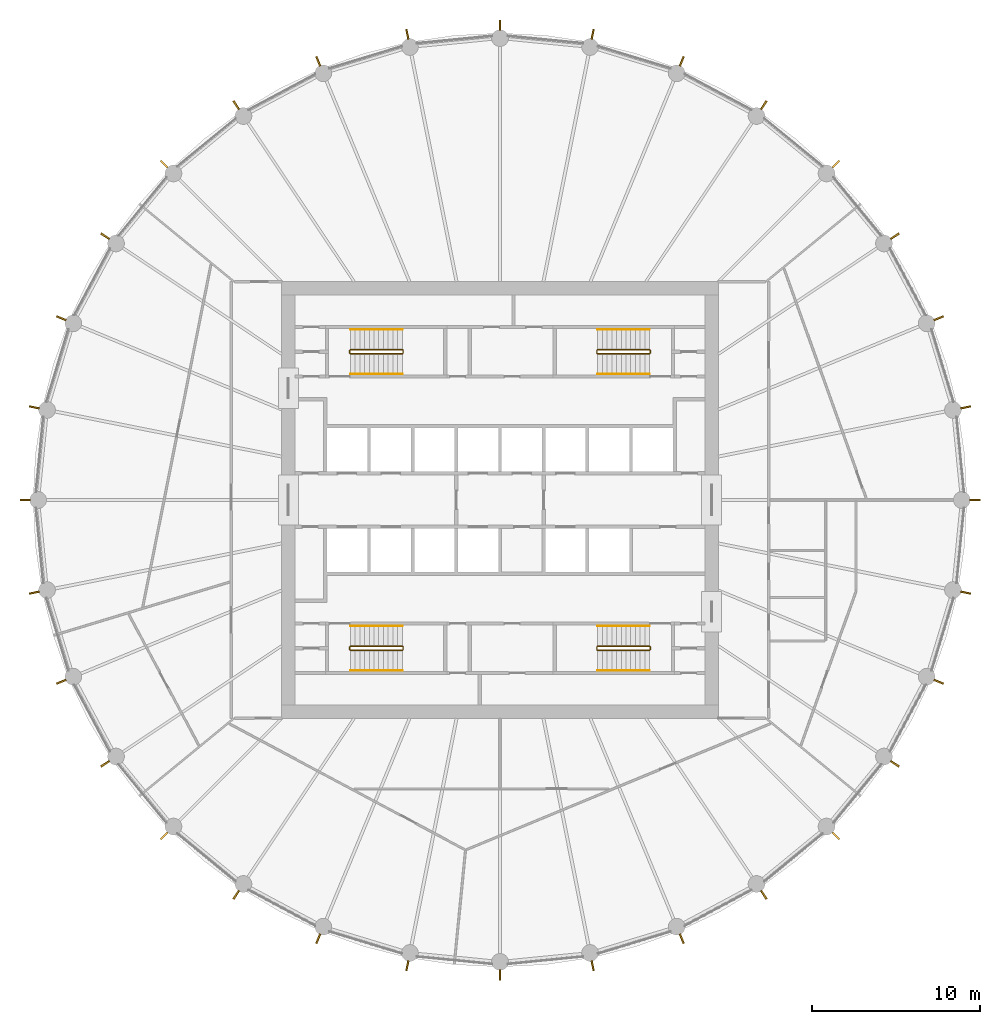
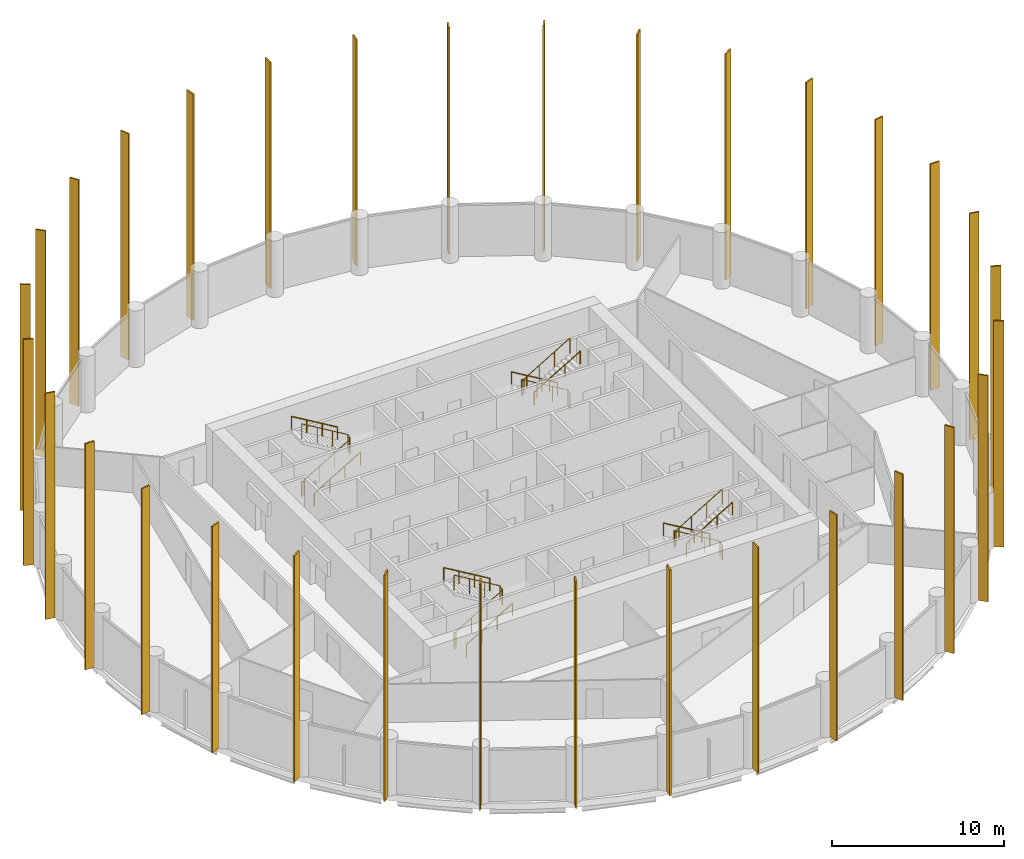
# One storey, part 8 of 8: 32 shading devices, 12 railings.
"""IFC4 building model written with IfcOpenShell, lengths in metres."""

import ifcopenshell
import ifcopenshell.guid

model = None  # the IFC model being written
_history = None  # IfcOwnerHistory: only IFC2X3 demands one
_inside = {}  # id of a spatial element -> (the spatial element, [elements in it])
_under = {}  # id of a project, library or spatial element -> (it, [spatial elements below it])
_declared = {}  # id of a project -> (the project, [libraries it declares])
_typed = {}  # id of a type object -> (the type object, [elements of that type])
_made_of = {}  # id of a material, layer set ... -> (it, [elements and type objects made of it])


def new_model(schema):
    """Start an empty IFC model of exactly this schema.

    Asked for "IFC4X3", IfcOpenShell would pick the latest addendum, in which some entities
    have other attributes; the version numbers below select the first issue.
    IFC2X3 requires an IfcOwnerHistory on every rooted entity: one is made here for all.
    """
    global model, _history
    if schema == "IFC4X3":
        model = ifcopenshell.file(schema_version=(4, 3, 0, 0))
    else:
        model = ifcopenshell.file(schema=schema)
    _inside.clear()
    _under.clear()
    _declared.clear()
    _typed.clear()
    _made_of.clear()
    _history = None
    if model.schema == "IFC2X3":
        org = make("IfcOrganization", Name="unknown")
        user = make(
            "IfcPersonAndOrganization",
            ThePerson=make("IfcPerson", FamilyName="unknown"),
            TheOrganization=org,
        )
        app = make(
            "IfcApplication",
            ApplicationDeveloper=org,
            Version="unknown",
            ApplicationFullName="unknown",
            ApplicationIdentifier="unknown",
        )
        _history = make(
            "IfcOwnerHistory",
            OwningUser=user,
            OwningApplication=app,
            ChangeAction="ADDED",
            CreationDate=0,
        )
    return model


def make(cls, **values):
    """One entity of the class cls with the attributes given. An attribute that is None is left unset."""
    return model.create_entity(
        cls, **{name: value for name, value in values.items() if value is not None}
    )


def rooted(cls, **values):
    """An entity with a GlobalId (a new one), such as an element, a storey or a relation."""
    return make(cls, GlobalId=ifcopenshell.guid.new(), OwnerHistory=_history, **values)


def si_unit(unit_type, name, prefix=None):
    """IfcSIUnit, for example si_unit("LENGTHUNIT", "METRE", prefix="MILLI")."""
    return make("IfcSIUnit", UnitType=unit_type, Prefix=prefix, Name=name)


def assignment(units):
    """IfcUnitAssignment: the units of a project."""
    return None if units is None else make("IfcUnitAssignment", Units=units)


def point(xyz):
    """IfcCartesianPoint."""
    return None if xyz is None else make("IfcCartesianPoint", Coordinates=xyz)


def direction(xyz):
    """IfcDirection."""
    return None if xyz is None else make("IfcDirection", DirectionRatios=xyz)


def frame(location, z_axis=None, x_axis=None):
    """IfcAxis2Placement3D, a coordinate frame: its origin and axes. An axis left out is left unset."""
    return make(
        "IfcAxis2Placement3D",
        Location=point(location),
        Axis=direction(z_axis),
        RefDirection=direction(x_axis),
    )


def frame_2d(location, x_axis=None):
    """IfcAxis2Placement2D, a coordinate frame in the plane: its origin and x axis."""
    return make(
        "IfcAxis2Placement2D", Location=point(location), RefDirection=direction(x_axis)
    )


def origin():
    """The frame at (0, 0, 0) with its axes left unset."""
    return frame((0.0, 0.0, 0.0))


def origin_2d():
    """The frame at (0, 0) in the plane with its x axis left unset."""
    return frame_2d((0.0, 0.0))


def place(relative_to, where):
    """IfcLocalPlacement: puts the frame where relative to a parent placement (None: the world)."""
    return make(
        "IfcLocalPlacement", PlacementRelTo=relative_to, RelativePlacement=where
    )


def context(
    kind, dimensions, precision=None, world=None, true_north=None, identifier=None
):
    """IfcGeometricRepresentationContext, for example the 3D "Model" context."""
    return make(
        "IfcGeometricRepresentationContext",
        ContextIdentifier=identifier,
        ContextType=kind,
        CoordinateSpaceDimension=dimensions,
        Precision=precision,
        WorldCoordinateSystem=world,
        TrueNorth=true_north,
    )


def subcontext(parent, identifier, kind, view, scale=None):
    """IfcGeometricRepresentationSubContext, for example "Body" below "Model"."""
    return make(
        "IfcGeometricRepresentationSubContext",
        ContextIdentifier=identifier,
        ContextType=kind,
        ParentContext=parent,
        TargetScale=scale,
        TargetView=view,
    )


def project(units=None, contexts=None):
    """IfcProject with its units and contexts."""
    return rooted(
        "IfcProject",
        Name="project",
        RepresentationContexts=contexts,
        UnitsInContext=assignment(units),
    )


def spatial(cls, under=None, at=None, **own):
    """A site, building, storey or space (cls), placed at a placement, below another one or the project."""
    s = rooted(cls, ObjectPlacement=at, **own)
    if under is not None:
        _under.setdefault(under.id(), (under, []))[1].append(s)
    return s


def profile(cls, at=None, kind="AREA", **sizes):
    """A parametric profile (cls). Its sizes go by their IFC names, for example OverallWidth=200.0."""
    return make(cls, ProfileType=kind, Position=at, **sizes)


def rectangle(**sizes):
    """IfcRectangleProfileDef."""
    return profile("IfcRectangleProfileDef", **sizes)


def circle(**sizes):
    """IfcCircleProfileDef."""
    return profile("IfcCircleProfileDef", **sizes)


def extrude(swept, where, along, depth):
    """IfcExtrudedAreaSolid: the profile swept, set in the frame where, extruded along a direction by depth."""
    return make(
        "IfcExtrudedAreaSolid",
        SweptArea=swept,
        Position=where,
        ExtrudedDirection=direction(along),
        Depth=depth,
    )


def shape(context_of_items, identifier, shape_type, items):
    """IfcShapeRepresentation: the items that make up one representation, for example the "Body"."""
    return make(
        "IfcShapeRepresentation",
        ContextOfItems=context_of_items,
        RepresentationIdentifier=identifier,
        RepresentationType=shape_type,
        Items=items,
    )


def material(Name=None, Category=None):
    """IfcMaterial."""
    return make("IfcMaterial", Name=Name, Category=Category)


def material_profile(
    of_material, cross_section, Name=None, Category=None, Priority=None
):
    """IfcMaterialProfile: a cross section and its material."""
    return make(
        "IfcMaterialProfile",
        Name=Name,
        Material=of_material,
        Profile=cross_section,
        Priority=Priority,
        Category=Category,
    )


def profile_set(profiles, Name=None, composite=None):
    """IfcMaterialProfileSet."""
    return make(
        "IfcMaterialProfileSet",
        Name=Name,
        MaterialProfiles=profiles,
        CompositeProfile=composite,
    )


def made_of(thing, what):
    """Note that an element or type object is made of a material, layer set ...; save() writes the relation."""
    if what is not None:
        _made_of.setdefault(what.id(), (what, []))[1].append(thing)
    return thing


def type_object(cls, material=None, **own):
    """A type object (cls), such as IfcWallType, which elements share."""
    return made_of(rooted(cls, **own), material)


def element(
    cls,
    number,
    at=None,
    inside=None,
    cuts=None,
    type_object=None,
    material=None,
    context=None,
    identifier="Body",
    shape_type=None,
    held_by="IfcProductDefinitionShape",
    body=None,
    shapes=None,
    **own,
):
    """One element of the class cls, such as IfcWall. Its Tag is "e" and its number.

    at: its placement. inside: the storey or other place that contains it. cuts: it is an
    opening in that element (IfcRelVoidsElement). A single representation is given by context,
    identifier, shape_type and body (its items); several are given by shapes. held_by: the class
    of the entity that holds the representations. save() writes the other relations.
    """
    e = rooted(cls, Tag="e%d" % number, ObjectPlacement=at, **own)
    if body is not None:
        shapes = [shape(context, identifier, shape_type, body)]
    if shapes is not None:
        e.Representation = make(held_by, Representations=shapes)
    if inside is not None:
        _inside.setdefault(inside.id(), (inside, []))[1].append(e)
    if cuts is not None:
        rooted(
            "IfcRelVoidsElement", RelatingBuildingElement=cuts, RelatedOpeningElement=e
        )
    if type_object is not None:
        _typed.setdefault(type_object.id(), (type_object, []))[1].append(e)
    return made_of(e, material)


def aggregate(whole, parts):
    """IfcRelAggregates: a whole, such as a stair, and the parts it consists of."""
    return rooted("IfcRelAggregates", RelatingObject=whole, RelatedObjects=parts)


def save(model, path):
    """Write the relations noted so far, then the file.

    IfcRelAggregates (storeys below a building ...), IfcRelContainedInSpatialStructure (elements
    in a storey), IfcRelDefinesByType, IfcRelAssociatesMaterial and IfcRelDeclares: one each for
    every whole, place, type object, material and project.
    """
    for whole, parts in _under.values():
        aggregate(whole, parts)
    for where, things in _inside.values():
        rooted(
            "IfcRelContainedInSpatialStructure",
            RelatedElements=things,
            RelatingStructure=where,
        )
    for kind, things in _typed.values():
        rooted("IfcRelDefinesByType", RelatedObjects=things, RelatingType=kind)
    for what, things in _made_of.values():
        rooted("IfcRelAssociatesMaterial", RelatedObjects=things, RelatingMaterial=what)
    for by, libraries in _declared.values():
        rooted("IfcRelDeclares", RelatingContext=by, RelatedDefinitions=libraries)
    model.write(path)


model = new_model("IFC4")

# Units and contexts
model_context = context("Model", 3, precision=1e-05, world=origin(), true_north=direction((0.0, 1.0)))
body_context = subcontext(model_context, "Body", "Model", "MODEL_VIEW")
ifc_project = project(units=[si_unit("LENGTHUNIT", "METRE"), si_unit("AREAUNIT", "SQUARE_METRE"), si_unit("VOLUMEUNIT", "CUBIC_METRE"), si_unit("PLANEANGLEUNIT", "RADIAN"), si_unit("MASSUNIT", "GRAM", prefix="KILO")], contexts=[model_context])

# Site, building, storey
site_placement = place(None, origin())
site = spatial("IfcSite", under=ifc_project, at=site_placement, CompositionType="ELEMENT")
building_placement = place(site_placement, origin())
building = spatial("IfcBuilding", under=site, at=building_placement, Name="Corvane Civic Tower", CompositionType="ELEMENT")
storey_placement = place(building_placement, frame((0.0, 0.0, 201.5)))
storey = spatial("IfcBuildingStorey", under=building, at=storey_placement, Name="L47", CompositionType="ELEMENT", Elevation=201.5)

# Railings
ifc_material_1 = material(Name="Steel ASTM A572 Gr 50", Category="steel")
railing_type_1 = type_object("IfcRailingType", Name="ST-GUARD-1100", PredefinedType="GUARDRAIL", material=ifc_material_1)
railing_1_placement = place(storey_placement, frame((8.949951171875, 8.75, 0.0)))
element("IfcRailing", 1, at=railing_1_placement, inside=storey, type_object=railing_type_1, Name="L47 ST1 stair guard 1", PredefinedType="GUARDRAIL", context=body_context, shape_type="SweptSolid", body=[
    extrude(circle(Radius=0.02392578125, at=origin_2d()), frame((0.0, 0.0, 1.076171875), z_axis=(0.0, 1.0, 0.0), x_axis=(-1.0, 0.0, 0.0)), (0.0, 0.0, 1.0), 0.14990234375),
    extrude(circle(Radius=0.02392578125, at=origin_2d()), frame((0.0, 0.14990234375, 1.076171875), z_axis=(-0.27628659633, 0.27628659633, 0.920506074601), x_axis=(-0.707106781187, -0.707106781187, 0.0)), (0.0, 0.0, 1.0), 0.18115234375),
    extrude(circle(Radius=0.02392578125, at=origin_2d()), frame((-0.050048828125, 0.199951171875, 1.24267578125), z_axis=(-0.859290745958, 0.0, 0.51148745235), x_axis=(0.0, -1.0, 0.0)), (0.0, 0.0, 1.0), 3.584228515625),
    extrude(circle(Radius=0.02392578125, at=origin_2d()), frame((-3.1298828125, 0.199951171875, 3.076171875), z_axis=(-0.707106781187, -0.707106781187, 0.0), x_axis=(0.707106781187, -0.707106781187, 0.0)), (0.0, 0.0, 1.0), 0.07080078125),
    extrude(circle(Radius=0.02392578125, at=origin_2d()), frame((-3.179931640625, 0.14990234375, 3.076171875), z_axis=(0.0, -1.0, 0.0), x_axis=(1.0, 0.0, 0.0)), (0.0, 0.0, 1.0), 0.14990234375),
    extrude(circle(Radius=0.02392578125, at=origin_2d()), frame((-3.179931640625, 0.0, 3.076171875), z_axis=(0.27628659633, -0.27628659633, 0.920506074601), x_axis=(0.707106781187, 0.707106781187, 0.0)), (0.0, 0.0, 1.0), 0.18115234375),
    extrude(circle(Radius=0.02392578125, at=origin_2d()), frame((-3.1298828125, -0.050048828125, 3.24267578125), z_axis=(0.859290745958, 0.0, 0.51148745235), x_axis=(0.0, 1.0, 0.0)), (0.0, 0.0, 1.0), 3.584228515625),
    extrude(circle(Radius=0.02099609375, at=origin_2d()), origin(), (0.0, 0.0, 1.0), 1.052001953125),
    extrude(circle(Radius=0.02099609375, at=origin_2d()), frame((0.0, 0.14990234375, 0.0)), (0.0, 0.0, 1.0), 1.052001953125),
    extrude(circle(Radius=0.02099609375, at=origin_2d()), frame((-0.050048828125, 0.199951171875, 0.166748046875)), (0.0, 0.0, 1.0), 1.052001953125),
    extrude(circle(Radius=0.02099609375, at=origin_2d()), frame((-1.07666015625, 0.199951171875, 0.77783203125)), (0.0, 0.0, 1.0), 1.052001953125),
    extrude(circle(Radius=0.02099609375, at=origin_2d()), frame((-2.103271484375, 0.199951171875, 1.388916015625)), (0.0, 0.0, 1.0), 1.052001953125),
    extrude(circle(Radius=0.02099609375, at=origin_2d()), frame((-3.1298828125, 0.199951171875, 2.0)), (0.0, 0.0, 1.0), 1.052001953125),
    extrude(circle(Radius=0.02099609375, at=origin_2d()), frame((-3.179931640625, 0.14990234375, 2.0)), (0.0, 0.0, 1.0), 1.052001953125),
    extrude(circle(Radius=0.02099609375, at=origin_2d()), frame((-3.179931640625, 0.0, 2.0)), (0.0, 0.0, 1.0), 1.052001953125),
    extrude(circle(Radius=0.02099609375, at=origin_2d()), frame((-3.1298828125, -0.050048828125, 2.166748046875)), (0.0, 0.0, 1.0), 1.052001953125),
    extrude(circle(Radius=0.02099609375, at=origin_2d()), frame((-2.103271484375, -0.050048828125, 2.77783203125)), (0.0, 0.0, 1.0), 1.052001953125),
    extrude(circle(Radius=0.02099609375, at=origin_2d()), frame((-1.07666015625, -0.050048828125, 3.388916015625)), (0.0, 0.0, 1.0), 1.052001953125),
    extrude(circle(Radius=0.02099609375, at=origin_2d()), frame((-0.050048828125, -0.050048828125, 4.0)), (0.0, 0.0, 1.0), 1.052001953125),
])
railing_2_placement = place(storey_placement, frame((8.949951171875, -8.89990234375, 0.0)))
element("IfcRailing", 2, at=railing_2_placement, inside=storey, type_object=railing_type_1, Name="L47 ST2 stair guard 1", PredefinedType="GUARDRAIL", context=body_context, shape_type="SweptSolid", body=[
    extrude(circle(Radius=0.02392578125, at=origin_2d()), frame((0.0, 0.0, 1.076171875), z_axis=(0.0, 1.0, 0.0), x_axis=(-1.0, 0.0, 0.0)), (0.0, 0.0, 1.0), 0.14990234375),
    extrude(circle(Radius=0.02392578125, at=origin_2d()), frame((0.0, 0.14990234375, 1.076171875), z_axis=(-0.27628659633, 0.27628659633, 0.920506074601), x_axis=(-0.707106781187, -0.707106781187, 0.0)), (0.0, 0.0, 1.0), 0.18115234375),
    extrude(circle(Radius=0.02392578125, at=origin_2d()), frame((-0.050048828125, 0.199951171875, 1.24267578125), z_axis=(-0.859290745958, 0.0, 0.51148745235), x_axis=(0.0, -1.0, 0.0)), (0.0, 0.0, 1.0), 3.584228515625),
    extrude(circle(Radius=0.02392578125, at=origin_2d()), frame((-3.1298828125, 0.199951171875, 3.076171875), z_axis=(-0.707106781187, -0.707106781187, 0.0), x_axis=(0.707106781187, -0.707106781187, 0.0)), (0.0, 0.0, 1.0), 0.07080078125),
    extrude(circle(Radius=0.02392578125, at=origin_2d()), frame((-3.179931640625, 0.14990234375, 3.076171875), z_axis=(0.0, -1.0, 0.0), x_axis=(1.0, 0.0, 0.0)), (0.0, 0.0, 1.0), 0.14990234375),
    extrude(circle(Radius=0.02392578125, at=origin_2d()), frame((-3.179931640625, 0.0, 3.076171875), z_axis=(0.27628659633, -0.27628659633, 0.920506074601), x_axis=(0.707106781187, 0.707106781187, 0.0)), (0.0, 0.0, 1.0), 0.18115234375),
    extrude(circle(Radius=0.02392578125, at=origin_2d()), frame((-3.1298828125, -0.050048828125, 3.24267578125), z_axis=(0.859290745958, 0.0, 0.51148745235), x_axis=(0.0, 1.0, 0.0)), (0.0, 0.0, 1.0), 3.584228515625),
    extrude(circle(Radius=0.02099609375, at=origin_2d()), origin(), (0.0, 0.0, 1.0), 1.052001953125),
    extrude(circle(Radius=0.02099609375, at=origin_2d()), frame((0.0, 0.14990234375, 0.0)), (0.0, 0.0, 1.0), 1.052001953125),
    extrude(circle(Radius=0.02099609375, at=origin_2d()), frame((-0.050048828125, 0.199951171875, 0.166748046875)), (0.0, 0.0, 1.0), 1.052001953125),
    extrude(circle(Radius=0.02099609375, at=origin_2d()), frame((-1.07666015625, 0.199951171875, 0.77783203125)), (0.0, 0.0, 1.0), 1.052001953125),
    extrude(circle(Radius=0.02099609375, at=origin_2d()), frame((-2.103271484375, 0.199951171875, 1.388916015625)), (0.0, 0.0, 1.0), 1.052001953125),
    extrude(circle(Radius=0.02099609375, at=origin_2d()), frame((-3.1298828125, 0.199951171875, 2.0)), (0.0, 0.0, 1.0), 1.052001953125),
    extrude(circle(Radius=0.02099609375, at=origin_2d()), frame((-3.179931640625, 0.14990234375, 2.0)), (0.0, 0.0, 1.0), 1.052001953125),
    extrude(circle(Radius=0.02099609375, at=origin_2d()), frame((-3.179931640625, 0.0, 2.0)), (0.0, 0.0, 1.0), 1.052001953125),
    extrude(circle(Radius=0.02099609375, at=origin_2d()), frame((-3.1298828125, -0.050048828125, 2.166748046875)), (0.0, 0.0, 1.0), 1.052001953125),
    extrude(circle(Radius=0.02099609375, at=origin_2d()), frame((-2.103271484375, -0.050048828125, 2.77783203125)), (0.0, 0.0, 1.0), 1.052001953125),
    extrude(circle(Radius=0.02099609375, at=origin_2d()), frame((-1.07666015625, -0.050048828125, 3.388916015625)), (0.0, 0.0, 1.0), 1.052001953125),
    extrude(circle(Radius=0.02099609375, at=origin_2d()), frame((-0.050048828125, -0.050048828125, 4.0)), (0.0, 0.0, 1.0), 1.052001953125),
])
railing_3_placement = place(storey_placement, frame((-8.949951171875, -8.75, 0.0)))
element("IfcRailing", 3, at=railing_3_placement, inside=storey, type_object=railing_type_1, Name="L47 ST3 stair guard 1", PredefinedType="GUARDRAIL", context=body_context, shape_type="SweptSolid", body=[
    extrude(circle(Radius=0.02392578125, at=origin_2d()), frame((0.0, 0.0, 1.076171875), z_axis=(0.0, -1.0, 0.0), x_axis=(1.0, 0.0, 0.0)), (0.0, 0.0, 1.0), 0.14990234375),
    extrude(circle(Radius=0.02392578125, at=origin_2d()), frame((0.0, -0.14990234375, 1.076171875), z_axis=(0.27628659633, -0.27628659633, 0.920506074601), x_axis=(0.707106781187, 0.707106781187, 0.0)), (0.0, 0.0, 1.0), 0.18115234375),
    extrude(circle(Radius=0.02392578125, at=origin_2d()), frame((0.050048828125, -0.199951171875, 1.24267578125), z_axis=(0.859290745958, 0.0, 0.51148745235), x_axis=(0.0, 1.0, 0.0)), (0.0, 0.0, 1.0), 3.584228515625),
    extrude(circle(Radius=0.02392578125, at=origin_2d()), frame((3.1298828125, -0.199951171875, 3.076171875), z_axis=(0.707106781187, 0.707106781187, 0.0), x_axis=(-0.707106781187, 0.707106781187, 0.0)), (0.0, 0.0, 1.0), 0.07080078125),
    extrude(circle(Radius=0.02392578125, at=origin_2d()), frame((3.179931640625, -0.14990234375, 3.076171875), z_axis=(0.0, 1.0, 0.0), x_axis=(-1.0, 0.0, 0.0)), (0.0, 0.0, 1.0), 0.14990234375),
    extrude(circle(Radius=0.02392578125, at=origin_2d()), frame((3.179931640625, 0.0, 3.076171875), z_axis=(-0.27628659633, 0.27628659633, 0.920506074601), x_axis=(-0.707106781187, -0.707106781187, 0.0)), (0.0, 0.0, 1.0), 0.18115234375),
    extrude(circle(Radius=0.02392578125, at=origin_2d()), frame((3.1298828125, 0.050048828125, 3.24267578125), z_axis=(-0.859290745958, 0.0, 0.51148745235), x_axis=(0.0, -1.0, 0.0)), (0.0, 0.0, 1.0), 3.584228515625),
    extrude(circle(Radius=0.02099609375, at=origin_2d()), origin(), (0.0, 0.0, 1.0), 1.052001953125),
    extrude(circle(Radius=0.02099609375, at=origin_2d()), frame((0.0, -0.14990234375, 0.0)), (0.0, 0.0, 1.0), 1.052001953125),
    extrude(circle(Radius=0.02099609375, at=origin_2d()), frame((0.050048828125, -0.199951171875, 0.166748046875)), (0.0, 0.0, 1.0), 1.052001953125),
    extrude(circle(Radius=0.02099609375, at=origin_2d()), frame((1.07666015625, -0.199951171875, 0.77783203125)), (0.0, 0.0, 1.0), 1.052001953125),
    extrude(circle(Radius=0.02099609375, at=origin_2d()), frame((2.103271484375, -0.199951171875, 1.388916015625)), (0.0, 0.0, 1.0), 1.052001953125),
    extrude(circle(Radius=0.02099609375, at=origin_2d()), frame((3.1298828125, -0.199951171875, 2.0)), (0.0, 0.0, 1.0), 1.052001953125),
    extrude(circle(Radius=0.02099609375, at=origin_2d()), frame((3.179931640625, -0.14990234375, 2.0)), (0.0, 0.0, 1.0), 1.052001953125),
    extrude(circle(Radius=0.02099609375, at=origin_2d()), frame((3.179931640625, 0.0, 2.0)), (0.0, 0.0, 1.0), 1.052001953125),
    extrude(circle(Radius=0.02099609375, at=origin_2d()), frame((3.1298828125, 0.050048828125, 2.166748046875)), (0.0, 0.0, 1.0), 1.052001953125),
    extrude(circle(Radius=0.02099609375, at=origin_2d()), frame((2.103271484375, 0.050048828125, 2.77783203125)), (0.0, 0.0, 1.0), 1.052001953125),
    extrude(circle(Radius=0.02099609375, at=origin_2d()), frame((1.07666015625, 0.050048828125, 3.388916015625)), (0.0, 0.0, 1.0), 1.052001953125),
    extrude(circle(Radius=0.02099609375, at=origin_2d()), frame((0.050048828125, 0.050048828125, 4.0)), (0.0, 0.0, 1.0), 1.052001953125),
])
railing_4_placement = place(storey_placement, frame((-8.949951171875, 8.89990234375, 0.0)))
element("IfcRailing", 4, at=railing_4_placement, inside=storey, type_object=railing_type_1, Name="L47 ST4 stair guard 1", PredefinedType="GUARDRAIL", context=body_context, shape_type="SweptSolid", body=[
    extrude(circle(Radius=0.02392578125, at=origin_2d()), frame((0.0, 0.0, 1.076171875), z_axis=(0.0, -1.0, 0.0), x_axis=(1.0, 0.0, 0.0)), (0.0, 0.0, 1.0), 0.14990234375),
    extrude(circle(Radius=0.02392578125, at=origin_2d()), frame((0.0, -0.14990234375, 1.076171875), z_axis=(0.27628659633, -0.27628659633, 0.920506074601), x_axis=(0.707106781187, 0.707106781187, 0.0)), (0.0, 0.0, 1.0), 0.18115234375),
    extrude(circle(Radius=0.02392578125, at=origin_2d()), frame((0.050048828125, -0.199951171875, 1.24267578125), z_axis=(0.859290745958, 0.0, 0.51148745235), x_axis=(0.0, 1.0, 0.0)), (0.0, 0.0, 1.0), 3.584228515625),
    extrude(circle(Radius=0.02392578125, at=origin_2d()), frame((3.1298828125, -0.199951171875, 3.076171875), z_axis=(0.707106781187, 0.707106781187, 0.0), x_axis=(-0.707106781187, 0.707106781187, 0.0)), (0.0, 0.0, 1.0), 0.07080078125),
    extrude(circle(Radius=0.02392578125, at=origin_2d()), frame((3.179931640625, -0.14990234375, 3.076171875), z_axis=(0.0, 1.0, 0.0), x_axis=(-1.0, 0.0, 0.0)), (0.0, 0.0, 1.0), 0.14990234375),
    extrude(circle(Radius=0.02392578125, at=origin_2d()), frame((3.179931640625, 0.0, 3.076171875), z_axis=(-0.27628659633, 0.27628659633, 0.920506074601), x_axis=(-0.707106781187, -0.707106781187, 0.0)), (0.0, 0.0, 1.0), 0.18115234375),
    extrude(circle(Radius=0.02392578125, at=origin_2d()), frame((3.1298828125, 0.050048828125, 3.24267578125), z_axis=(-0.859290745958, 0.0, 0.51148745235), x_axis=(0.0, -1.0, 0.0)), (0.0, 0.0, 1.0), 3.584228515625),
    extrude(circle(Radius=0.02099609375, at=origin_2d()), origin(), (0.0, 0.0, 1.0), 1.052001953125),
    extrude(circle(Radius=0.02099609375, at=origin_2d()), frame((0.0, -0.14990234375, 0.0)), (0.0, 0.0, 1.0), 1.052001953125),
    extrude(circle(Radius=0.02099609375, at=origin_2d()), frame((0.050048828125, -0.199951171875, 0.166748046875)), (0.0, 0.0, 1.0), 1.052001953125),
    extrude(circle(Radius=0.02099609375, at=origin_2d()), frame((1.07666015625, -0.199951171875, 0.77783203125)), (0.0, 0.0, 1.0), 1.052001953125),
    extrude(circle(Radius=0.02099609375, at=origin_2d()), frame((2.103271484375, -0.199951171875, 1.388916015625)), (0.0, 0.0, 1.0), 1.052001953125),
    extrude(circle(Radius=0.02099609375, at=origin_2d()), frame((3.1298828125, -0.199951171875, 2.0)), (0.0, 0.0, 1.0), 1.052001953125),
    extrude(circle(Radius=0.02099609375, at=origin_2d()), frame((3.179931640625, -0.14990234375, 2.0)), (0.0, 0.0, 1.0), 1.052001953125),
    extrude(circle(Radius=0.02099609375, at=origin_2d()), frame((3.179931640625, 0.0, 2.0)), (0.0, 0.0, 1.0), 1.052001953125),
    extrude(circle(Radius=0.02099609375, at=origin_2d()), frame((3.1298828125, 0.050048828125, 2.166748046875)), (0.0, 0.0, 1.0), 1.052001953125),
    extrude(circle(Radius=0.02099609375, at=origin_2d()), frame((2.103271484375, 0.050048828125, 2.77783203125)), (0.0, 0.0, 1.0), 1.052001953125),
    extrude(circle(Radius=0.02099609375, at=origin_2d()), frame((1.07666015625, 0.050048828125, 3.388916015625)), (0.0, 0.0, 1.0), 1.052001953125),
    extrude(circle(Radius=0.02099609375, at=origin_2d()), frame((0.050048828125, 0.050048828125, 4.0)), (0.0, 0.0, 1.0), 1.052001953125),
])
ifc_material_2 = material(Name="Steel ASTM A572 Gr 50", Category="steel")
railing_type_2 = type_object("IfcRailingType", Name="ST-HANDRAIL-900", PredefinedType="HANDRAIL", material=ifc_material_2)
railing_5_placement = place(storey_placement, frame((8.89990234375, 10.14990234375, 0.166748046875)))
element("IfcRailing", 5, at=railing_5_placement, inside=storey, type_object=railing_type_2, Name="L47 ST1 stair handrail 1", PredefinedType="HANDRAIL", context=body_context, shape_type="SweptSolid", body=[
    extrude(circle(Radius=0.02392578125, at=origin_2d()), frame((0.0, 0.0, 0.8759765625), z_axis=(-0.859290745958, 0.0, 0.51148745235), x_axis=(0.0, -1.0, 0.0)), (0.0, 0.0, 1.0), 3.584228515625),
    extrude(circle(Radius=0.02099609375, at=origin_2d()), origin(), (0.0, 0.0, 1.0), 0.851806640625),
    extrude(circle(Radius=0.02099609375, at=origin_2d()), frame((-1.026611328125, 0.0, 0.611083984375)), (0.0, 0.0, 1.0), 0.851806640625),
    extrude(circle(Radius=0.02099609375, at=origin_2d()), frame((-2.05322265625, 0.0, 1.22216796875)), (0.0, 0.0, 1.0), 0.851806640625),
    extrude(circle(Radius=0.02099609375, at=origin_2d()), frame((-3.079833984375, 0.0, 1.833251953125)), (0.0, 0.0, 1.0), 0.851806640625),
])
railing_6_placement = place(storey_placement, frame((5.820068359375, 7.5, 2.166748046875)))
element("IfcRailing", 6, at=railing_6_placement, inside=storey, type_object=railing_type_2, Name="L47 ST1 stair handrail 2", PredefinedType="HANDRAIL", context=body_context, shape_type="SweptSolid", body=[
    extrude(circle(Radius=0.02392578125, at=origin_2d()), frame((0.0, 0.0, 0.8759765625), z_axis=(0.859290745958, 0.0, 0.51148745235), x_axis=(0.0, 1.0, 0.0)), (0.0, 0.0, 1.0), 3.584228515625),
    extrude(circle(Radius=0.02099609375, at=origin_2d()), origin(), (0.0, 0.0, 1.0), 0.851806640625),
    extrude(circle(Radius=0.02099609375, at=origin_2d()), frame((1.026611328125, 0.0, 0.611083984375)), (0.0, 0.0, 1.0), 0.851806640625),
    extrude(circle(Radius=0.02099609375, at=origin_2d()), frame((2.05322265625, 0.0, 1.22216796875)), (0.0, 0.0, 1.0), 0.851806640625),
    extrude(circle(Radius=0.02099609375, at=origin_2d()), frame((3.079833984375, 0.0, 1.833251953125)), (0.0, 0.0, 1.0), 0.851806640625),
])
railing_7_placement = place(storey_placement, frame((8.89990234375, -7.5, 0.166748046875)))
element("IfcRailing", 7, at=railing_7_placement, inside=storey, type_object=railing_type_2, Name="L47 ST2 stair handrail 1", PredefinedType="HANDRAIL", context=body_context, shape_type="SweptSolid", body=[
    extrude(circle(Radius=0.02392578125, at=origin_2d()), frame((0.0, 0.0, 0.8759765625), z_axis=(-0.859290745958, 0.0, 0.51148745235), x_axis=(0.0, -1.0, 0.0)), (0.0, 0.0, 1.0), 3.584228515625),
    extrude(circle(Radius=0.02099609375, at=origin_2d()), origin(), (0.0, 0.0, 1.0), 0.851806640625),
    extrude(circle(Radius=0.02099609375, at=origin_2d()), frame((-1.026611328125, 0.0, 0.611083984375)), (0.0, 0.0, 1.0), 0.851806640625),
    extrude(circle(Radius=0.02099609375, at=origin_2d()), frame((-2.05322265625, 0.0, 1.22216796875)), (0.0, 0.0, 1.0), 0.851806640625),
    extrude(circle(Radius=0.02099609375, at=origin_2d()), frame((-3.079833984375, 0.0, 1.833251953125)), (0.0, 0.0, 1.0), 0.851806640625),
])
for number, where, name in (
    (8, (5.820068359375, -10.14990234375, 2.166748046875), "L47 ST2 stair handrail 2"),
    (9, (-8.89990234375, -10.14990234375, 0.166748046875), "L47 ST3 stair handrail 1"),
):
    element("IfcRailing", number, at=place(storey_placement, frame(where)), inside=storey, type_object=railing_type_2, Name=name, PredefinedType="HANDRAIL", context=body_context, shape_type="SweptSolid", body=[
        extrude(circle(Radius=0.02392578125, at=origin_2d()), frame((0.0, 0.0, 0.8759765625), z_axis=(0.859290745958, 0.0, 0.51148745235), x_axis=(0.0, 1.0, 0.0)), (0.0, 0.0, 1.0), 3.584228515625),
        extrude(circle(Radius=0.02099609375, at=origin_2d()), origin(), (0.0, 0.0, 1.0), 0.851806640625),
        extrude(circle(Radius=0.02099609375, at=origin_2d()), frame((1.026611328125, 0.0, 0.611083984375)), (0.0, 0.0, 1.0), 0.851806640625),
        extrude(circle(Radius=0.02099609375, at=origin_2d()), frame((2.05322265625, 0.0, 1.22216796875)), (0.0, 0.0, 1.0), 0.851806640625),
        extrude(circle(Radius=0.02099609375, at=origin_2d()), frame((3.079833984375, 0.0, 1.833251953125)), (0.0, 0.0, 1.0), 0.851806640625),
    ])
railing_8_placement = place(storey_placement, frame((-5.820068359375, -7.5, 2.166748046875)))
element("IfcRailing", 10, at=railing_8_placement, inside=storey, type_object=railing_type_2, Name="L47 ST3 stair handrail 2", PredefinedType="HANDRAIL", context=body_context, shape_type="SweptSolid", body=[
    extrude(circle(Radius=0.02392578125, at=origin_2d()), frame((0.0, 0.0, 0.8759765625), z_axis=(-0.859290745958, 0.0, 0.51148745235), x_axis=(0.0, -1.0, 0.0)), (0.0, 0.0, 1.0), 3.584228515625),
    extrude(circle(Radius=0.02099609375, at=origin_2d()), origin(), (0.0, 0.0, 1.0), 0.851806640625),
    extrude(circle(Radius=0.02099609375, at=origin_2d()), frame((-1.026611328125, 0.0, 0.611083984375)), (0.0, 0.0, 1.0), 0.851806640625),
    extrude(circle(Radius=0.02099609375, at=origin_2d()), frame((-2.05322265625, 0.0, 1.22216796875)), (0.0, 0.0, 1.0), 0.851806640625),
    extrude(circle(Radius=0.02099609375, at=origin_2d()), frame((-3.079833984375, 0.0, 1.833251953125)), (0.0, 0.0, 1.0), 0.851806640625),
])
railing_9_placement = place(storey_placement, frame((-8.89990234375, 7.5, 0.166748046875)))
element("IfcRailing", 11, at=railing_9_placement, inside=storey, type_object=railing_type_2, Name="L47 ST4 stair handrail 1", PredefinedType="HANDRAIL", context=body_context, shape_type="SweptSolid", body=[
    extrude(circle(Radius=0.02392578125, at=origin_2d()), frame((0.0, 0.0, 0.8759765625), z_axis=(0.859290745958, 0.0, 0.51148745235), x_axis=(0.0, 1.0, 0.0)), (0.0, 0.0, 1.0), 3.584228515625),
    extrude(circle(Radius=0.02099609375, at=origin_2d()), origin(), (0.0, 0.0, 1.0), 0.851806640625),
    extrude(circle(Radius=0.02099609375, at=origin_2d()), frame((1.026611328125, 0.0, 0.611083984375)), (0.0, 0.0, 1.0), 0.851806640625),
    extrude(circle(Radius=0.02099609375, at=origin_2d()), frame((2.05322265625, 0.0, 1.22216796875)), (0.0, 0.0, 1.0), 0.851806640625),
    extrude(circle(Radius=0.02099609375, at=origin_2d()), frame((3.079833984375, 0.0, 1.833251953125)), (0.0, 0.0, 1.0), 0.851806640625),
])
railing_10_placement = place(storey_placement, frame((-5.820068359375, 10.14990234375, 2.166748046875)))
element("IfcRailing", 12, at=railing_10_placement, inside=storey, type_object=railing_type_2, Name="L47 ST4 stair handrail 2", PredefinedType="HANDRAIL", context=body_context, shape_type="SweptSolid", body=[
    extrude(circle(Radius=0.02392578125, at=origin_2d()), frame((0.0, 0.0, 0.8759765625), z_axis=(-0.859290745958, 0.0, 0.51148745235), x_axis=(0.0, -1.0, 0.0)), (0.0, 0.0, 1.0), 3.584228515625),
    extrude(circle(Radius=0.02099609375, at=origin_2d()), origin(), (0.0, 0.0, 1.0), 0.851806640625),
    extrude(circle(Radius=0.02099609375, at=origin_2d()), frame((-1.026611328125, 0.0, 0.611083984375)), (0.0, 0.0, 1.0), 0.851806640625),
    extrude(circle(Radius=0.02099609375, at=origin_2d()), frame((-2.05322265625, 0.0, 1.22216796875)), (0.0, 0.0, 1.0), 0.851806640625),
    extrude(circle(Radius=0.02099609375, at=origin_2d()), frame((-3.079833984375, 0.0, 1.833251953125)), (0.0, 0.0, 1.0), 0.851806640625),
])

# Shading devices
ifc_material_3 = material(Name="Anodised aluminium bronze", Category="aluminium")
ifc_material_profile = material_profile(ifc_material_3, rectangle(XDim=0.10009765625, YDim=0.60009765625, at=origin_2d()), Name="TOWER FIN STACK 100x600 BRONZE")
ifc_profile_set = profile_set([ifc_material_profile], Name="Anodised aluminium bronze")
shading_device_type = type_object("IfcShadingDeviceType", Name="TOWER FIN STACK 100x600 BRONZE", PredefinedType="USERDEFINED", material=ifc_profile_set)
for number, where, z_axis, x_axis, name in (
    (13, (0.0, 28.280029296875, 0.0), (0.0, 0.0, 1.0), (1.0, 0.0, 0.0), "Fin 01 L47 to L50"),
    (14, (5.51708984375, 27.736572265625, 0.0), (0.0, 0.0, 1.0), (0.980785280403, -0.195090322016, 0.0), "Fin 02 L47 to L50"),
    (15, (10.822265625, 26.127197265625, 0.0), (0.0, 0.0, 1.0), (0.923879532511, -0.382683432365, 0.0), "Fin 03 L47 to L50"),
    (16, (15.71142578125, 23.513916015625, 0.0), (0.0, 0.0, 1.0), (0.831469612303, -0.55557023302, 0.0), "Fin 04 L47 to L50"),
    (17, (19.9970703125, 19.9970703125, 0.0), (0.0, 0.0, 1.0), (0.707106781187, -0.707106781187, 0.0), "Fin 05 L47 to L50"),
    (18, (23.513916015625, 15.71142578125, 0.0), (0.0, 0.0, 1.0), (0.55557023302, -0.831469612303, 0.0), "Fin 06 L47 to L50"),
    (19, (26.127197265625, 10.822265625, 0.0), (0.0, 0.0, 1.0), (0.382683432365, -0.923879532511, 0.0), "Fin 07 L47 to L50"),
    (20, (27.736572265625, 5.51708984375, 0.0), (0.0, 0.0, 1.0), (0.195090322016, -0.980785280403, 0.0), "Fin 08 L47 to L50"),
    (21, (28.280029296875, 0.0, 0.0), (0.0, 0.0, 1.0), (0.0, -1.0, 0.0), "Fin 09 L47 to L50"),
    (22, (27.736572265625, -5.51708984375, 0.0), (0.0, 0.0, 1.0), (-0.195090322016, -0.980785280403, 0.0), "Fin 10 L47 to L50"),
    (23, (26.127197265625, -10.822265625, 0.0), (0.0, 0.0, 1.0), (-0.382683432365, -0.923879532511, 0.0), "Fin 11 L47 to L50"),
    (24, (23.513916015625, -15.71142578125, 0.0), (0.0, 0.0, 1.0), (-0.55557023302, -0.831469612303, 0.0), "Fin 12 L47 to L50"),
    (25, (19.9970703125, -19.9970703125, 0.0), (0.0, 0.0, 1.0), (-0.707106781187, -0.707106781187, 0.0), "Fin 13 L47 to L50"),
    (26, (15.71142578125, -23.513916015625, 0.0), (0.0, 0.0, 1.0), (-0.831469612303, -0.55557023302, 0.0), "Fin 14 L47 to L50"),
    (27, (10.822265625, -26.127197265625, 0.0), (0.0, 0.0, 1.0), (-0.923879532511, -0.382683432365, 0.0), "Fin 15 L47 to L50"),
    (28, (5.51708984375, -27.736572265625, 0.0), (0.0, 0.0, 1.0), (-0.980785280403, -0.195090322016, 0.0), "Fin 16 L47 to L50"),
    (29, (0.0, -28.280029296875, 0.0), (0.0, 0.0, 1.0), (-1.0, 0.0, 0.0), "Fin 17 L47 to L50"),
    (30, (-5.51708984375, -27.736572265625, 0.0), (0.0, 0.0, 1.0), (-0.980785280403, 0.195090322016, 0.0), "Fin 18 L47 to L50"),
    (31, (-10.822265625, -26.127197265625, 0.0), (0.0, 0.0, 1.0), (-0.923879532511, 0.382683432365, 0.0), "Fin 19 L47 to L50"),
    (32, (-15.71142578125, -23.513916015625, 0.0), (0.0, 0.0, 1.0), (-0.831469612303, 0.55557023302, 0.0), "Fin 20 L47 to L50"),
    (33, (-19.9970703125, -19.9970703125, 0.0), (0.0, 0.0, 1.0), (-0.707106781187, 0.707106781187, 0.0), "Fin 21 L47 to L50"),
    (34, (-23.513916015625, -15.71142578125, 0.0), (0.0, 0.0, 1.0), (-0.55557023302, 0.831469612303, 0.0), "Fin 22 L47 to L50"),
    (35, (-26.127197265625, -10.822265625, 0.0), (0.0, 0.0, 1.0), (-0.382683432365, 0.923879532511, 0.0), "Fin 23 L47 to L50"),
    (36, (-27.736572265625, -5.51708984375, 0.0), (0.0, 0.0, 1.0), (-0.195090322016, 0.980785280403, 0.0), "Fin 24 L47 to L50"),
    (37, (-28.280029296875, 0.0, 0.0), (0.0, 0.0, 1.0), (0.0, 1.0, 0.0), "Fin 25 L47 to L50"),
    (38, (-27.736572265625, 5.51708984375, 0.0), (0.0, 0.0, 1.0), (0.195090322016, 0.980785280403, 0.0), "Fin 26 L47 to L50"),
    (39, (-26.127197265625, 10.822265625, 0.0), (0.0, 0.0, 1.0), (0.382683432365, 0.923879532511, 0.0), "Fin 27 L47 to L50"),
    (40, (-23.513916015625, 15.71142578125, 0.0), (0.0, 0.0, 1.0), (0.55557023302, 0.831469612303, 0.0), "Fin 28 L47 to L50"),
    (41, (-19.9970703125, 19.9970703125, 0.0), (0.0, 0.0, 1.0), (0.707106781187, 0.707106781187, 0.0), "Fin 29 L47 to L50"),
    (42, (-15.71142578125, 23.513916015625, 0.0), (0.0, 0.0, 1.0), (0.831469612303, 0.55557023302, 0.0), "Fin 30 L47 to L50"),
    (43, (-10.822265625, 26.127197265625, 0.0), (0.0, 0.0, 1.0), (0.923879532511, 0.382683432365, 0.0), "Fin 31 L47 to L50"),
    (44, (-5.51708984375, 27.736572265625, 0.0), (0.0, 0.0, 1.0), (0.980785280403, 0.195090322016, 0.0), "Fin 32 L47 to L50"),
):
    element("IfcShadingDevice", number, at=place(storey_placement, frame(where, z_axis=z_axis, x_axis=x_axis)), inside=storey, type_object=shading_device_type, Name=name, ObjectType="FIN", PredefinedType="USERDEFINED", context=body_context, shape_type="SweptSolid", body=[
        extrude(rectangle(XDim=0.10009765625, YDim=0.60009765625, at=origin_2d()), origin(), (0.0, 0.0, 1.0), 16.0),
    ])

save(model, "model.ifc")
